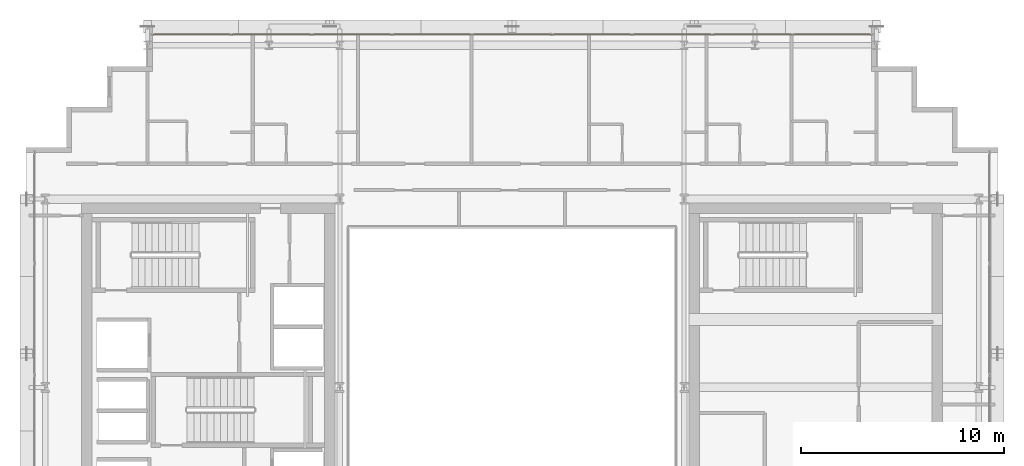
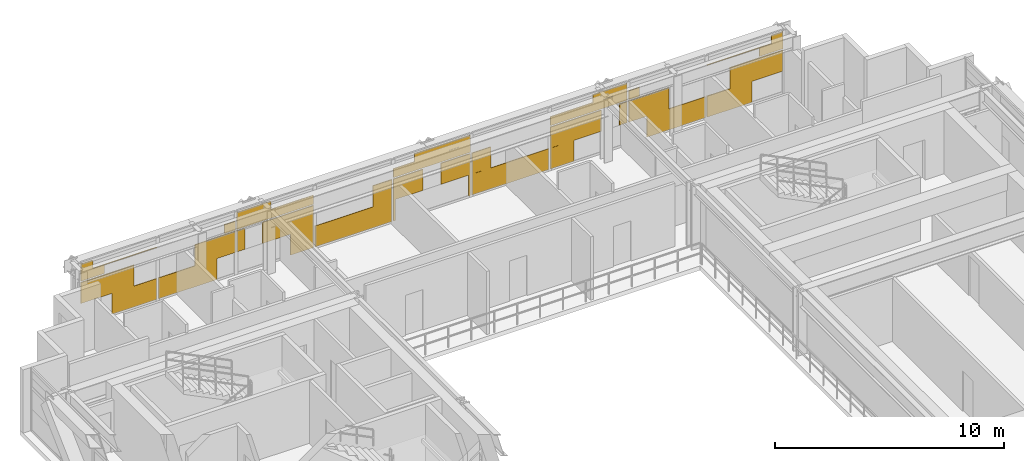
# One storey, part 32 of 32: 1 covering.
"""IFC4 building model written with IfcOpenShell, lengths in metres."""

from ifc_helpers import new_model, si_unit, direction, frame, origin, origin_2d, place, context, subcontext, project, spatial, rectangle, extrude, material, layer, layer_set, type_object, element, save


model = new_model("IFC4")

# Units and contexts
model_context = context("Model", 3, precision=1e-05, world=origin(), true_north=direction((0.0, 1.0)))
body_context = subcontext(model_context, "Body", "Model", "MODEL_VIEW")
ifc_project = project(units=[si_unit("LENGTHUNIT", "METRE"), si_unit("AREAUNIT", "SQUARE_METRE"), si_unit("VOLUMEUNIT", "CUBIC_METRE"), si_unit("PLANEANGLEUNIT", "RADIAN"), si_unit("MASSUNIT", "GRAM", prefix="KILO")], contexts=[model_context])

# Site, building, storey
site_placement = place(None, origin())
site = spatial("IfcSite", under=ifc_project, at=site_placement, CompositionType="ELEMENT")
building_placement = place(site_placement, origin())
building = spatial("IfcBuilding", under=site, at=building_placement, Name="Ocotamira Hotel", CompositionType="ELEMENT")
storey_placement = place(building_placement, frame((0.0, 0.0, 184.800048828125)))
storey = spatial("IfcBuildingStorey", under=building, at=storey_placement, Name="L46", CompositionType="ELEMENT", Elevation=184.800048828125)

# Covering
ifc_material = material(Name="Insulated pale-metal aluminium spandrel panel", Category="aluminium")
ifc_layer = layer(ifc_material, 0.044921875)
ifc_layer_set = layer_set([ifc_layer], Name="Insulated pale-metal aluminium spandrel panel")
covering_type = type_object("IfcCoveringType", Name="COV-INFILL-45", PredefinedType="CLADDING", material=ifc_layer_set)
covering_placement = place(storey_placement, origin())
element("IfcCovering", 1, at=covering_placement, inside=storey, type_object=covering_type, Name="L46 Curtain Wall Infill CW-4 CW-L46-N", PredefinedType="CLADDING", context=body_context, shape_type="SweptSolid", body=[
    extrude(rectangle(XDim=2.68701171875, YDim=0.044921875, at=origin_2d()), frame((15.6240234375, 45.580078125, 1.19384765625), z_axis=(0.0, 0.0, 1.0), x_axis=(1.0, 0.0, 0.0)), (0.0, 0.0, 1.0), 1.117919921875),
    extrude(rectangle(XDim=2.26708984375, YDim=0.044921875, at=origin_2d()), frame((16.9814453125, 45.580078125, 0.0751953125), z_axis=(0.0, 0.0, 1.0), x_axis=(1.0, 0.0, 0.0)), (0.0, 0.0, 1.0), 1.117919921875),
    extrude(rectangle(XDim=1.19482421875, YDim=0.044921875, at=origin_2d()), frame((14.8779296875, 45.580078125, 2.3876953125), z_axis=(0.0, 0.0, 1.0), x_axis=(1.0, 0.0, 0.0)), (0.0, 0.0, 1.0), 0.442626953125),
    extrude(rectangle(XDim=3.834716796875, YDim=0.044921875, at=origin_2d()), frame((16.19775390625, 45.580078125, 2.83154296875), z_axis=(0.0, 0.0, 1.0), x_axis=(1.0, 0.0, 0.0)), (0.0, 0.0, 1.0), 0.0302734375),
    extrude(rectangle(XDim=0.601318359375, YDim=0.044921875, at=origin_2d()), frame((14.581298828125, 45.580078125, 2.86279296875), z_axis=(0.0, 0.0, 1.0), x_axis=(1.0, 0.0, 0.0)), (0.0, 0.0, 1.0), 0.431640625),
    extrude(rectangle(XDim=2.955810546875, YDim=0.044921875, at=origin_2d()), frame((19.674072265625, 45.580078125, 0.0751953125), z_axis=(0.0, 0.0, 1.0), x_axis=(1.0, 0.0, 0.0)), (0.0, 0.0, 1.0), 1.117919921875),
    extrude(rectangle(XDim=2.0380859375, YDim=0.044921875, at=origin_2d()), frame((21.051513671875, 45.580078125, 1.19384765625), z_axis=(0.0, 0.0, 1.0), x_axis=(1.0, 0.0, 0.0)), (0.0, 0.0, 1.0), 1.117919921875),
    extrude(rectangle(XDim=0.5458984375, YDim=0.044921875, at=origin_2d()), frame((21.797607421875, 45.580078125, 2.3876953125), z_axis=(0.0, 0.0, 1.0), x_axis=(1.0, 0.0, 0.0)), (0.0, 0.0, 1.0), 0.473876953125),
    extrude(rectangle(XDim=0.398681640625, YDim=0.044921875, at=origin_2d()), frame((22.35107421875, 45.580078125, 1.19384765625), z_axis=(0.0, 0.0, 1.0), x_axis=(1.0, 0.0, 0.0)), (0.0, 0.0, 1.0), 1.117919921875),
    extrude(rectangle(XDim=2.57666015625, YDim=0.044921875, at=origin_2d()), frame((24.73779296875, 45.580078125, 1.19384765625), z_axis=(0.0, 0.0, 1.0), x_axis=(1.0, 0.0, 0.0)), (0.0, 0.0, 1.0), 1.117919921875),
    extrude(rectangle(XDim=1.177978515625, YDim=0.044921875, at=origin_2d()), frame((25.43701171875, 45.580078125, 0.0751953125), z_axis=(0.0, 0.0, 1.0), x_axis=(1.0, 0.0, 0.0)), (0.0, 0.0, 1.0), 1.117919921875),
    extrude(rectangle(XDim=3.87451171875, YDim=0.044921875, at=origin_2d()), frame((24.0888671875, 45.580078125, 2.3876953125), z_axis=(0.0, 0.0, 1.0), x_axis=(1.0, 0.0, 0.0)), (0.0, 0.0, 1.0), 0.473876953125),
    extrude(rectangle(XDim=1.730224609375, YDim=0.044921875, at=origin_2d()), frame((23.0166015625, 45.580078125, 2.86279296875), z_axis=(0.0, 0.0, 1.0), x_axis=(1.0, 0.0, 0.0)), (0.0, 0.0, 1.0), 0.431640625),
    extrude(rectangle(XDim=3.87451171875, YDim=0.044921875, at=origin_2d()), frame((28.04443359375, 45.580078125, 0.0751953125), z_axis=(0.0, 0.0, 1.0), x_axis=(1.0, 0.0, 0.0)), (0.0, 0.0, 1.0), 1.117919921875),
    extrude(rectangle(XDim=0.94921875, YDim=0.044921875, at=origin_2d()), frame((29.507080078125, 45.580078125, 1.19384765625), z_axis=(0.0, 0.0, 1.0), x_axis=(1.0, 0.0, 0.0)), (0.0, 0.0, 1.0), 1.117919921875),
    extrude(rectangle(XDim=0.089111328125, YDim=0.044921875, at=origin_2d()), frame((30.107421875, 45.580078125, 0.0751953125), z_axis=(0.0, 0.0, 1.0), x_axis=(1.0, 0.0, 0.0)), (0.0, 0.0, 1.0), 1.117919921875),
    extrude(rectangle(XDim=1.48779296875, YDim=0.044921875, at=origin_2d()), frame((30.806640625, 45.580078125, 1.19384765625), z_axis=(0.0, 0.0, 1.0), x_axis=(1.0, 0.0, 0.0)), (0.0, 0.0, 1.0), 1.117919921875),
    extrude(rectangle(XDim=1.48779296875, YDim=0.044921875, at=origin_2d()), frame((33.193359375, 45.580078125, 1.19384765625), z_axis=(0.0, 0.0, 1.0), x_axis=(1.0, 0.0, 0.0)), (0.0, 0.0, 1.0), 1.117919921875),
    extrude(rectangle(XDim=0.089111328125, YDim=0.044921875, at=origin_2d()), frame((33.892578125, 45.580078125, 0.0751953125), z_axis=(0.0, 0.0, 1.0), x_axis=(1.0, 0.0, 0.0)), (0.0, 0.0, 1.0), 1.117919921875),
    extrude(rectangle(XDim=3.87451171875, YDim=0.044921875, at=origin_2d()), frame((32.0, 45.580078125, 2.3876953125), z_axis=(0.0, 0.0, 1.0), x_axis=(1.0, 0.0, 0.0)), (0.0, 0.0, 1.0), 0.473876953125),
    extrude(rectangle(XDim=2.819091796875, YDim=0.044921875, at=origin_2d()), frame((32.527587890625, 45.580078125, 2.86279296875), z_axis=(0.0, 0.0, 1.0), x_axis=(1.0, 0.0, 0.0)), (0.0, 0.0, 1.0), 0.431640625),
    extrude(rectangle(XDim=3.87451171875, YDim=0.044921875, at=origin_2d()), frame((35.95556640625, 45.580078125, 0.0751953125), z_axis=(0.0, 0.0, 1.0), x_axis=(1.0, 0.0, 0.0)), (0.0, 0.0, 1.0), 1.117919921875),
    extrude(rectangle(XDim=0.94921875, YDim=0.044921875, at=origin_2d()), frame((34.492919921875, 45.580078125, 1.19384765625), z_axis=(0.0, 0.0, 1.0), x_axis=(1.0, 0.0, 0.0)), (0.0, 0.0, 1.0), 1.117919921875),
    extrude(rectangle(XDim=1.177978515625, YDim=0.044921875, at=origin_2d()), frame((38.56298828125, 45.580078125, 0.0751953125), z_axis=(0.0, 0.0, 1.0), x_axis=(1.0, 0.0, 0.0)), (0.0, 0.0, 1.0), 1.117919921875),
    extrude(rectangle(XDim=2.57666015625, YDim=0.044921875, at=origin_2d()), frame((39.26220703125, 45.580078125, 1.19384765625), z_axis=(0.0, 0.0, 1.0), x_axis=(1.0, 0.0, 0.0)), (0.0, 0.0, 1.0), 1.117919921875),
    extrude(rectangle(XDim=0.398681640625, YDim=0.044921875, at=origin_2d()), frame((41.64892578125, 45.580078125, 1.19384765625), z_axis=(0.0, 0.0, 1.0), x_axis=(1.0, 0.0, 0.0)), (0.0, 0.0, 1.0), 1.117919921875),
    extrude(rectangle(XDim=3.87451171875, YDim=0.044921875, at=origin_2d()), frame((39.9111328125, 45.580078125, 2.3876953125), z_axis=(0.0, 0.0, 1.0), x_axis=(1.0, 0.0, 0.0)), (0.0, 0.0, 1.0), 0.473876953125),
    extrude(rectangle(XDim=1.730224609375, YDim=0.044921875, at=origin_2d()), frame((40.9833984375, 45.580078125, 2.86279296875), z_axis=(0.0, 0.0, 1.0), x_axis=(1.0, 0.0, 0.0)), (0.0, 0.0, 1.0), 0.431640625),
    extrude(rectangle(XDim=2.0380859375, YDim=0.044921875, at=origin_2d()), frame((42.948486328125, 45.580078125, 1.19384765625), z_axis=(0.0, 0.0, 1.0), x_axis=(1.0, 0.0, 0.0)), (0.0, 0.0, 1.0), 1.117919921875),
    extrude(rectangle(XDim=2.955810546875, YDim=0.044921875, at=origin_2d()), frame((44.325927734375, 45.580078125, 0.0751953125), z_axis=(0.0, 0.0, 1.0), x_axis=(1.0, 0.0, 0.0)), (0.0, 0.0, 1.0), 1.117919921875),
    extrude(rectangle(XDim=0.5458984375, YDim=0.044921875, at=origin_2d()), frame((42.202392578125, 45.580078125, 2.3876953125), z_axis=(0.0, 0.0, 1.0), x_axis=(1.0, 0.0, 0.0)), (0.0, 0.0, 1.0), 0.473876953125),
    extrude(rectangle(XDim=2.26708984375, YDim=0.044921875, at=origin_2d()), frame((47.0185546875, 45.580078125, 0.0751953125), z_axis=(0.0, 0.0, 1.0), x_axis=(1.0, 0.0, 0.0)), (0.0, 0.0, 1.0), 1.117919921875),
    extrude(rectangle(XDim=2.68701171875, YDim=0.044921875, at=origin_2d()), frame((48.3759765625, 45.580078125, 1.19384765625), z_axis=(0.0, 0.0, 1.0), x_axis=(1.0, 0.0, 0.0)), (0.0, 0.0, 1.0), 1.117919921875),
    extrude(rectangle(XDim=3.834716796875, YDim=0.044921875, at=origin_2d()), frame((47.80224609375, 45.580078125, 2.83154296875), z_axis=(0.0, 0.0, 1.0), x_axis=(1.0, 0.0, 0.0)), (0.0, 0.0, 1.0), 0.0302734375),
    extrude(rectangle(XDim=1.19482421875, YDim=0.044921875, at=origin_2d()), frame((49.1220703125, 45.580078125, 2.3876953125), z_axis=(0.0, 0.0, 1.0), x_axis=(1.0, 0.0, 0.0)), (0.0, 0.0, 1.0), 0.442626953125),
    extrude(rectangle(XDim=0.601318359375, YDim=0.044921875, at=origin_2d()), frame((49.418701171875, 45.580078125, 2.86279296875), z_axis=(0.0, 0.0, 1.0), x_axis=(1.0, 0.0, 0.0)), (0.0, 0.0, 1.0), 0.431640625),
])

save(model, "model.ifc")
